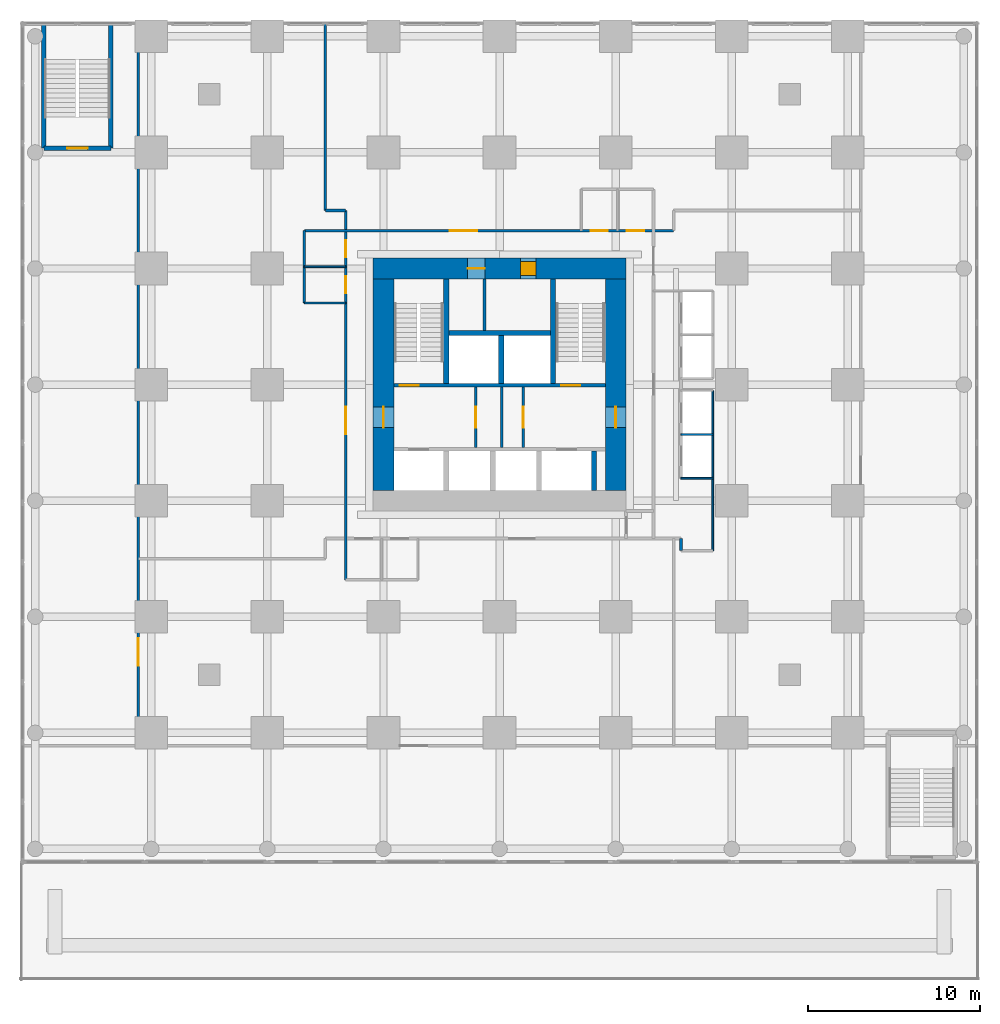
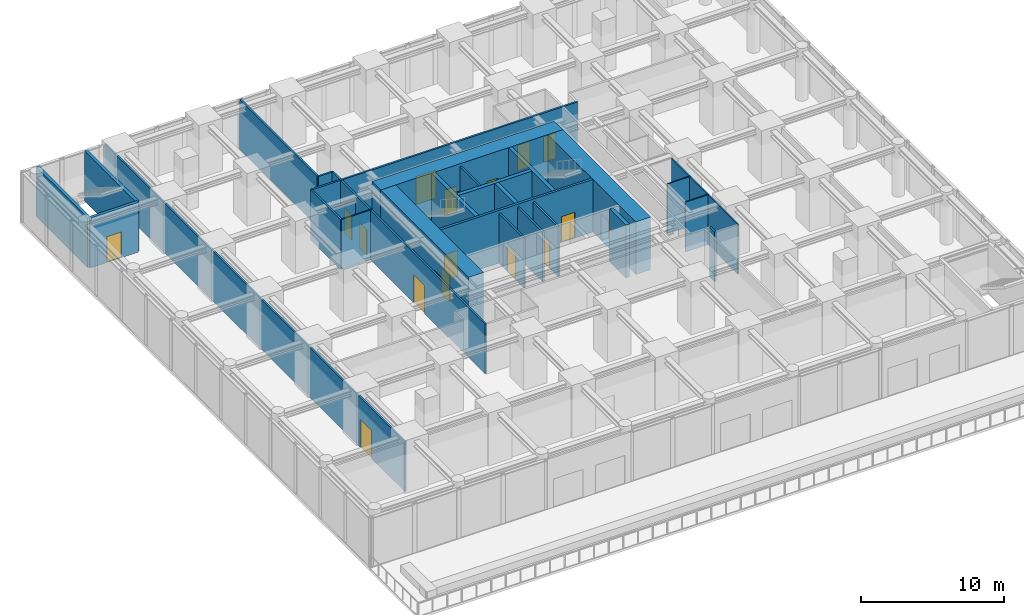
# One storey, part 8 of 10: 28 walls, 16 doors, 16 openings.
"""IFC4 building model written with IfcOpenShell, lengths in metres."""

from ifc_helpers import new_model, si_unit, direction, frame, frame_2d, origin, place, context, subcontext, project, spatial, rectangle, extrude, material, layer, layer_set, type_object, element, fill, save


model = new_model("IFC4")

# Units and contexts
model_context = context("Model", 3, precision=1e-05, world=origin(), true_north=direction((0.0, 1.0)))
body_context = subcontext(model_context, "Body", "Model", "MODEL_VIEW")
ifc_project = project(units=[si_unit("LENGTHUNIT", "METRE"), si_unit("AREAUNIT", "SQUARE_METRE"), si_unit("VOLUMEUNIT", "CUBIC_METRE"), si_unit("PLANEANGLEUNIT", "RADIAN"), si_unit("MASSUNIT", "GRAM", prefix="KILO")], contexts=[model_context])

# Site, building, storey
site_placement = place(None, origin())
site = spatial("IfcSite", under=ifc_project, at=site_placement, CompositionType="ELEMENT")
building_placement = place(site_placement, origin())
building = spatial("IfcBuilding", under=site, at=building_placement, Name="Nyansa Garden Tower", CompositionType="ELEMENT")
storey_placement = place(building_placement, frame((0.0, 0.0, 9.0)))
storey = spatial("IfcBuildingStorey", under=building, at=storey_placement, Name="L02", CompositionType="ELEMENT", Elevation=9.0)

# Wall, openings, doors
ifc_material_1 = material(Name="Concrete C70/85", Category="concrete")
ifc_layer_1 = layer(ifc_material_1, 0.199951171875)
ifc_layer_set_1 = layer_set([ifc_layer_1], Name="Core inner wall CI200")
wall_type_1 = type_object("IfcWallType", Name="Core inner wall CI200", PredefinedType="SHEAR", material=ifc_layer_set_1)
wall_1_placement = place(storey_placement, frame((14.10009765625, 20.199951171875, 0.0), z_axis=(0.0, 0.0, 1.0), x_axis=(1.0, 0.0, 0.0)))
wall_1 = element("IfcWall", 1, at=wall_1_placement, inside=storey, type_object=wall_type_1, Name="Core inner wall L02", PredefinedType="SHEAR", context=body_context, shape_type="SweptSolid", body=[
    extrude(rectangle(XDim=12.2998046875, YDim=0.199951171875, at=frame_2d((6.14990234375, 0.0))), origin(), (0.0, 0.0, 1.0), 4.5),
])
opening_1_placement = place(wall_1_placement, frame((0.35009765625, 0.0, 0.0)))
opening_1 = element("IfcOpeningElement", 2, at=opening_1_placement, cuts=wall_1, Name="Opening D05", PredefinedType="OPENING", context=body_context, shape_type="SweptSolid", body=[
    extrude(rectangle(XDim=1.10009765625, YDim=2.199951171875, at=frame_2d((0.550048828125, 1.10009765625))), frame((0.0, 0.10986328125, 0.0), z_axis=(0.0, -1.0, 0.0), x_axis=(1.0, 0.0, 0.0)), (0.0, 0.0, 1.0), 0.219970703125),
])
opening_2_placement = place(wall_1_placement, frame((9.75, 0.0, 0.0)))
opening_2 = element("IfcOpeningElement", 3, at=opening_2_placement, cuts=wall_1, Name="Opening D05", PredefinedType="OPENING", context=body_context, shape_type="SweptSolid", body=[
    extrude(rectangle(XDim=1.10009765625, YDim=2.199951171875, at=frame_2d((0.550048828125, 1.10009765625))), frame((0.0, 0.10986328125, 0.0), z_axis=(0.0, -1.0, 0.0), x_axis=(1.0, 0.0, 0.0)), (0.0, 0.0, 1.0), 0.219970703125),
])
ifc_material_2 = material(Name="Steel door, 120 minute fire resisting", Category="steel")
door_type_1 = type_object("IfcDoorType", Name="Stair door D05 1100x2200", OperationType="SINGLE_SWING_LEFT", PredefinedType="DOOR", material=ifc_material_2)
door_1_placement = place(opening_1_placement, origin())
door_1 = element("IfcDoor", 4, at=door_1_placement, inside=storey, type_object=door_type_1, Name="Stair S1 door", OperationType="SINGLE_SWING_LEFT", OverallHeight=2.199951171875, OverallWidth=1.10009765625, PredefinedType="DOOR", context=body_context, shape_type="SweptSolid", body=[
    extrude(rectangle(XDim=1.10009765625, YDim=2.199951171875, at=frame_2d((0.550048828125, 1.10009765625))), frame((0.0, 0.02490234375, 0.0), z_axis=(0.0, -1.0, 0.0), x_axis=(1.0, 0.0, 0.0)), (0.0, 0.0, 1.0), 0.050048828125),
])
fill(opening_1, door_1)
door_2_placement = place(opening_2_placement, origin())
door_2 = element("IfcDoor", 5, at=door_2_placement, inside=storey, type_object=door_type_1, Name="Stair S2 door", OperationType="SINGLE_SWING_LEFT", OverallHeight=2.199951171875, OverallWidth=1.10009765625, PredefinedType="DOOR", context=body_context, shape_type="SweptSolid", body=[
    extrude(rectangle(XDim=1.10009765625, YDim=2.199951171875, at=frame_2d((0.550048828125, 1.10009765625))), frame((0.0, 0.02490234375, 0.0), z_axis=(0.0, -1.0, 0.0), x_axis=(1.0, 0.0, 0.0)), (0.0, 0.0, 1.0), 0.050048828125),
])
fill(opening_2, door_2)

# Walls
ifc_material_3 = material(Name="Concrete C70/85", Category="concrete")
ifc_layer_2 = layer(ifc_material_3, 0.300048828125)
ifc_layer_set_2 = layer_set([ifc_layer_2], Name="Core inner wall CI300")
wall_type_2 = type_object("IfcWallType", Name="Core inner wall CI300", PredefinedType="SHEAR", material=ifc_layer_set_2)
for number, where, z_axis, x_axis, name in (
    (6, (17.14990234375, 20.300048828125, 0.0), (0.0, 0.0, 1.0), (0.0, 1.0, 0.0), "Core inner wall L02"),
    (7, (23.35009765625, 20.300048828125, 0.0), (0.0, 0.0, 1.0), (0.0, 1.0, 0.0), "Core inner wall L02"),
):
    element("IfcWall", number, at=place(storey_placement, frame(where, z_axis=z_axis, x_axis=x_axis)), inside=storey, type_object=wall_type_2, Name=name, PredefinedType="SHEAR", context=body_context, shape_type="SweptSolid", body=[
        extrude(rectangle(XDim=6.099853515625, YDim=0.300048828125, at=frame_2d((3.0498046875, 0.0))), origin(), (0.0, 0.0, 1.0), 4.5),
    ])
wall_2_placement = place(storey_placement, frame((20.35009765625, 20.300048828125, 0.0), z_axis=(0.0, 0.0, 1.0), x_axis=(0.0, 1.0, 0.0)))
element("IfcWall", 8, at=wall_2_placement, inside=storey, type_object=wall_type_2, Name="Core inner wall L02", PredefinedType="SHEAR", context=body_context, shape_type="SweptSolid", body=[
    extrude(rectangle(XDim=2.800048828125, YDim=0.300048828125, at=frame_2d((1.39990234375, 0.0))), origin(), (0.0, 0.0, 1.0), 4.5),
])
wall_3_placement = place(storey_placement, frame((17.300048828125, 23.25, 0.0), z_axis=(0.0, 0.0, 1.0), x_axis=(1.0, 0.0, 0.0)))
element("IfcWall", 9, at=wall_3_placement, inside=storey, type_object=wall_type_2, Name="Core inner wall L02", PredefinedType="SHEAR", context=body_context, shape_type="SweptSolid", body=[
    extrude(rectangle(XDim=5.89990234375, YDim=0.300048828125, at=frame_2d((2.949951171875, 0.0))), origin(), (0.0, 0.0, 1.0), 4.5),
])
wall_4_placement = place(storey_placement, frame((25.75, 14.10009765625, 0.0), z_axis=(0.0, 0.0, 1.0), x_axis=(0.0, 1.0, 0.0)))
element("IfcWall", 10, at=wall_4_placement, inside=storey, type_object=wall_type_2, Name="Core inner wall L02", PredefinedType="SHEAR", context=body_context, shape_type="SweptSolid", body=[
    extrude(rectangle(XDim=2.2998046875, YDim=0.300048828125, at=frame_2d((1.14990234375, 0.0))), origin(), (0.0, 0.0, 1.0), 4.5),
])

# Wall, opening, door
ifc_material_4 = material(Name="Concrete C80/95", Category="concrete")
ifc_layer_3 = layer(ifc_material_4, 1.199951171875)
ifc_layer_set_3 = layer_set([ifc_layer_3], Name="Core wall CW1200")
wall_type_3 = type_object("IfcWallType", Name="Core wall CW1200", PredefinedType="SHEAR", material=ifc_layer_set_3)
wall_5_placement = place(storey_placement, frame((27.0, 14.10009765625, 0.0), z_axis=(0.0, 0.0, 1.0), x_axis=(0.0, 1.0, 0.0)))
wall_5 = element("IfcWall", 11, at=wall_5_placement, inside=storey, type_object=wall_type_3, Name="Core wall E L02", PredefinedType="SHEAR", context=body_context, shape_type="SweptSolid", body=[
    extrude(rectangle(XDim=12.2998046875, YDim=1.199951171875, at=frame_2d((6.14990234375, 0.0))), origin(), (0.0, 0.0, 1.0), 4.5),
])
opening_3_placement = place(wall_5_placement, frame((3.64990234375, 0.0, 0.0)))
opening_3 = element("IfcOpeningElement", 12, at=opening_3_placement, cuts=wall_5, Name="Opening D06", PredefinedType="OPENING", context=body_context, shape_type="SweptSolid", body=[
    extrude(rectangle(XDim=1.199951171875, YDim=2.199951171875, at=frame_2d((0.60009765625, 1.10009765625))), frame((0.0, 0.60986328125, 0.0), z_axis=(0.0, -1.0, 0.0), x_axis=(1.0, 0.0, 0.0)), (0.0, 0.0, 1.0), 1.219970703125),
])
ifc_material_5 = material(Name="Steel door, 120 minute fire resisting", Category="steel")
door_type_2 = type_object("IfcDoorType", Name="Lobby door D06 1200x2200", OperationType="DOUBLE_DOOR_SINGLE_SWING", PredefinedType="DOOR", material=ifc_material_5)
door_3_placement = place(opening_3_placement, origin())
door_3 = element("IfcDoor", 13, at=door_3_placement, inside=storey, type_object=door_type_2, Name="Lift lobby door east", OperationType="DOUBLE_DOOR_SINGLE_SWING", OverallHeight=2.199951171875, OverallWidth=1.199951171875, PredefinedType="DOOR", context=body_context, shape_type="SweptSolid", body=[
    extrude(rectangle(XDim=1.199951171875, YDim=2.199951171875, at=frame_2d((0.60009765625, 1.10009765625))), frame((0.0, 0.02490234375, 0.0), z_axis=(0.0, -1.0, 0.0), x_axis=(1.0, 0.0, 0.0)), (0.0, 0.0, 1.0), 0.050048828125),
])
fill(opening_3, door_3)

# Wall, openings, doors
wall_6_placement = place(storey_placement, frame((27.60009765625, 27.0, 0.0), z_axis=(0.0, 0.0, 1.0), x_axis=(-1.0, 0.0, 0.0)))
wall_6 = element("IfcWall", 14, at=wall_6_placement, inside=storey, type_object=wall_type_3, Name="Core wall N L02", PredefinedType="SHEAR", context=body_context, shape_type="SweptSolid", body=[
    extrude(rectangle(XDim=14.7001953125, YDim=1.199951171875, at=frame_2d((7.35009765625, 0.0))), origin(), (0.0, 0.0, 1.0), 4.5),
])
opening_4_placement = place(wall_6_placement, frame((5.22509765625, 0.0, 0.0)))
opening_4 = element("IfcOpeningElement", 15, at=opening_4_placement, cuts=wall_6, Name="Opening D15", PredefinedType="OPENING", context=body_context, shape_type="SweptSolid", body=[
    extrude(rectangle(XDim=0.89990234375, YDim=2.199951171875, at=frame_2d((0.449951171875, 1.10009765625))), frame((0.0, 0.60986328125, 0.0), z_axis=(0.0, -1.0, 0.0), x_axis=(1.0, 0.0, 0.0)), (0.0, 0.0, 1.0), 1.219970703125),
])
opening_5_placement = place(wall_6_placement, frame((8.199951171875, 0.0, 0.0)))
opening_5 = element("IfcOpeningElement", 16, at=opening_5_placement, cuts=wall_6, Name="Opening D07", PredefinedType="OPENING", context=body_context, shape_type="SweptSolid", body=[
    extrude(rectangle(XDim=1.0, YDim=2.199951171875, at=frame_2d((0.5, 1.10009765625))), frame((0.0, 0.60986328125, 0.0), z_axis=(0.0, -1.0, 0.0), x_axis=(1.0, 0.0, 0.0)), (0.0, 0.0, 1.0), 1.219970703125),
])
ifc_material_6 = material(Name="Timber flush door, 60 minute fire resisting, self-closing", Category="wood")
door_type_3 = type_object("IfcDoorType", Name="Core room door D15 900x2200", OperationType="SINGLE_SWING_LEFT", PredefinedType="DOOR", material=ifc_material_6)
door_4_placement = place(opening_4_placement, origin())
door_4 = element("IfcDoor", 17, at=door_4_placement, inside=storey, type_object=door_type_3, Name="Core room door", OperationType="SINGLE_SWING_LEFT", OverallHeight=2.199951171875, OverallWidth=0.89990234375, PredefinedType="DOOR", context=body_context, shape_type="SweptSolid", body=[
    extrude(rectangle(XDim=0.89990234375, YDim=2.199951171875, at=frame_2d((0.449951171875, 1.10009765625))), frame((0.0, 0.39990234375, 0.0), z_axis=(0.0, -1.0, 0.0), x_axis=(1.0, 0.0, 0.0)), (0.0, 0.0, 1.0), 0.800048828125),
])
fill(opening_4, door_4)
ifc_material_7 = material(Name="Steel door, 120 minute fire resisting", Category="steel")
door_type_4 = type_object("IfcDoorType", Name="Riser door D07 1000x2200", OperationType="SINGLE_SWING_LEFT", PredefinedType="DOOR", material=ifc_material_7)
door_5_placement = place(opening_5_placement, origin())
door_5 = element("IfcDoor", 18, at=door_5_placement, inside=storey, type_object=door_type_4, Name="Riser and refuse room door", OperationType="SINGLE_SWING_LEFT", OverallHeight=2.199951171875, OverallWidth=1.0, PredefinedType="DOOR", context=body_context, shape_type="SweptSolid", body=[
    extrude(rectangle(XDim=1.0, YDim=2.199951171875, at=frame_2d((0.5, 1.10009765625))), frame((0.0, 0.02490234375, 0.0), z_axis=(0.0, -1.0, 0.0), x_axis=(1.0, 0.0, 0.0)), (0.0, 0.0, 1.0), 0.050048828125),
])
fill(opening_5, door_5)

# Wall, opening, door
wall_7_placement = place(storey_placement, frame((13.5, 26.39990234375, 0.0), z_axis=(0.0, 0.0, 1.0), x_axis=(0.0, -1.0, 0.0)))
wall_7 = element("IfcWall", 19, at=wall_7_placement, inside=storey, type_object=wall_type_3, Name="Core wall W L02", PredefinedType="SHEAR", context=body_context, shape_type="SweptSolid", body=[
    extrude(rectangle(XDim=12.2998046875, YDim=1.199951171875, at=frame_2d((6.14990234375, 0.0))), origin(), (0.0, 0.0, 1.0), 4.5),
])
opening_6_placement = place(wall_7_placement, frame((7.449951171875, 0.0, 0.0)))
opening_6 = element("IfcOpeningElement", 20, at=opening_6_placement, cuts=wall_7, Name="Opening D06", PredefinedType="OPENING", context=body_context, shape_type="SweptSolid", body=[
    extrude(rectangle(XDim=1.199951171875, YDim=2.199951171875, at=frame_2d((0.60009765625, 1.10009765625))), frame((0.0, 0.60986328125, 0.0), z_axis=(0.0, -1.0, 0.0), x_axis=(1.0, 0.0, 0.0)), (0.0, 0.0, 1.0), 1.219970703125),
])
door_6_placement = place(opening_6_placement, origin())
door_6 = element("IfcDoor", 21, at=door_6_placement, inside=storey, type_object=door_type_2, Name="Lift lobby door west", OperationType="DOUBLE_DOOR_SINGLE_SWING", OverallHeight=2.199951171875, OverallWidth=1.199951171875, PredefinedType="DOOR", context=body_context, shape_type="SweptSolid", body=[
    extrude(rectangle(XDim=1.199951171875, YDim=2.199951171875, at=frame_2d((0.60009765625, 1.10009765625))), frame((0.0, 0.02490234375, 0.0), z_axis=(0.0, -1.0, 0.0), x_axis=(1.0, 0.0, 0.0)), (0.0, 0.0, 1.0), 0.050048828125),
])
fill(opening_6, door_6)

# Walls
ifc_material_8 = material(Name="Steel-stud shaft wall, two layers fire-rated board, EI 120", Category="steel")
ifc_layer_4 = layer(ifc_material_8, 0.10009765625)
ifc_layer_set_4 = layer_set([ifc_layer_4], Name="Lift shaft wall SW100")
wall_type_4 = type_object("IfcWallType", Name="Lift shaft wall SW100", PredefinedType="SHEAR", material=ifc_layer_set_4)
for number, where, z_axis, x_axis, name in (
    (22, (30.800048828125, 14.800048828125, 0.0), (0.0, 0.0, 1.0), (1.0, 0.0, 0.0), "Lift shaft wall"),
    (23, (30.800048828125, 17.35009765625, 0.0), (0.0, 0.0, 1.0), (1.0, 0.0, 0.0), "Lift shaft wall"),
):
    element("IfcWall", number, at=place(storey_placement, frame(where, z_axis=z_axis, x_axis=x_axis)), inside=storey, type_object=wall_type_4, Name=name, PredefinedType="SHEAR", context=body_context, shape_type="SweptSolid", body=[
        extrude(rectangle(XDim=1.849853515625, YDim=0.10009765625, at=frame_2d((0.9248046875, 0.0))), origin(), (0.0, 0.0, 1.0), 4.25),
    ])
wall_8_placement = place(storey_placement, frame((32.64990234375, 10.60009765625, 0.0), z_axis=(0.0, 0.0, 1.0), x_axis=(0.0, 1.0, 0.0)))
element("IfcWall", 24, at=wall_8_placement, inside=storey, type_object=wall_type_4, Name="Lift shaft wall", PredefinedType="SHEAR", context=body_context, shape_type="SweptSolid", body=[
    extrude(rectangle(XDim=9.2998046875, YDim=0.10009765625, at=frame_2d((4.64990234375, 0.0))), origin(), (0.0, 0.0, 1.0), 4.25),
])

# Wall, opening, door
ifc_material_9 = material(Name="Blockwork, plastered both sides", Category="masonry")
ifc_layer_5 = layer(ifc_material_9, 0.14990234375)
ifc_layer_set_5 = layer_set([ifc_layer_5], Name="Partition PW150")
wall_type_5 = type_object("IfcWallType", Name="Partition PW150", PredefinedType="PARTITIONING", material=ifc_layer_set_5)
wall_9_placement = place(storey_placement, frame((18.875, 16.60009765625, 0.0), z_axis=(0.0, 0.0, 1.0), x_axis=(0.0, 1.0, 0.0)))
wall_9 = element("IfcWall", 25, at=wall_9_placement, inside=storey, type_object=wall_type_5, Name="Partition", PredefinedType="PARTITIONING", context=body_context, shape_type="SweptSolid", body=[
    extrude(rectangle(XDim=3.5, YDim=0.14990234375, at=frame_2d((1.75, 0.0))), origin(), (0.0, 0.0, 1.0), 4.25),
])
opening_7_placement = place(wall_9_placement, frame((1.14990234375, 0.0, 0.0)))
opening_7 = element("IfcOpeningElement", 26, at=opening_7_placement, cuts=wall_9, Name="Opening D06", PredefinedType="OPENING", context=body_context, shape_type="SweptSolid", body=[
    extrude(rectangle(XDim=1.199951171875, YDim=2.199951171875, at=frame_2d((0.60009765625, 1.10009765625))), frame((0.0, 0.0849609375, 0.0), z_axis=(0.0, -1.0, 0.0), x_axis=(1.0, 0.0, 0.0)), (0.0, 0.0, 1.0), 0.169921875),
])
door_7_placement = place(opening_7_placement, origin())
door_7 = element("IfcDoor", 27, at=door_7_placement, inside=storey, type_object=door_type_2, Name="Passenger lift lobby door", OperationType="DOUBLE_DOOR_SINGLE_SWING", OverallHeight=2.199951171875, OverallWidth=1.199951171875, PredefinedType="DOOR", context=body_context, shape_type="SweptSolid", body=[
    extrude(rectangle(XDim=1.199951171875, YDim=2.199951171875, at=frame_2d((0.60009765625, 1.10009765625))), frame((0.0, 0.02490234375, 0.0), z_axis=(0.0, -1.0, 0.0), x_axis=(1.0, 0.0, 0.0)), (0.0, 0.0, 1.0), 0.050048828125),
])
fill(opening_7, door_7)

wall_10_placement = place(storey_placement, frame((21.625, 16.60009765625, 0.0), z_axis=(0.0, 0.0, 1.0), x_axis=(0.0, 1.0, 0.0)))
wall_10 = element("IfcWall", 28, at=wall_10_placement, inside=storey, type_object=wall_type_5, Name="Partition", PredefinedType="PARTITIONING", context=body_context, shape_type="SweptSolid", body=[
    extrude(rectangle(XDim=3.5, YDim=0.14990234375, at=frame_2d((1.75, 0.0))), origin(), (0.0, 0.0, 1.0), 4.25),
])
opening_8_placement = place(wall_10_placement, frame((1.14990234375, 0.0, 0.0)))
opening_8 = element("IfcOpeningElement", 29, at=opening_8_placement, cuts=wall_10, Name="Opening D06", PredefinedType="OPENING", context=body_context, shape_type="SweptSolid", body=[
    extrude(rectangle(XDim=1.199951171875, YDim=2.199951171875, at=frame_2d((0.60009765625, 1.10009765625))), frame((0.0, 0.0849609375, 0.0), z_axis=(0.0, -1.0, 0.0), x_axis=(1.0, 0.0, 0.0)), (0.0, 0.0, 1.0), 0.169921875),
])
door_8_placement = place(opening_8_placement, origin())
door_8 = element("IfcDoor", 30, at=door_8_placement, inside=storey, type_object=door_type_2, Name="Passenger lift lobby door", OperationType="DOUBLE_DOOR_SINGLE_SWING", OverallHeight=2.199951171875, OverallWidth=1.199951171875, PredefinedType="DOOR", context=body_context, shape_type="SweptSolid", body=[
    extrude(rectangle(XDim=1.199951171875, YDim=2.199951171875, at=frame_2d((0.60009765625, 1.10009765625))), frame((0.0, 0.02490234375, 0.0), z_axis=(0.0, -1.0, 0.0), x_axis=(1.0, 0.0, 0.0)), (0.0, 0.0, 1.0), 0.050048828125),
])
fill(opening_8, door_8)

# Walls
wall_11_placement = place(storey_placement, frame((20.3798828125, 16.60009765625, 0.0), z_axis=(0.0, 0.0, 1.0), x_axis=(0.0, 1.0, 0.0)))
element("IfcWall", 31, at=wall_11_placement, inside=storey, type_object=wall_type_5, Name="Partition", PredefinedType="PARTITIONING", context=body_context, shape_type="SweptSolid", body=[
    extrude(rectangle(XDim=3.5, YDim=0.14990234375, at=frame_2d((1.75, 0.0))), origin(), (0.0, 0.0, 1.0), 4.25),
])
wall_12_placement = place(storey_placement, frame((19.375, 23.39990234375, 0.0), z_axis=(0.0, 0.0, 1.0), x_axis=(0.0, 1.0, 0.0)))
element("IfcWall", 32, at=wall_12_placement, inside=storey, type_object=wall_type_5, Name="Partition", PredefinedType="PARTITIONING", context=body_context, shape_type="SweptSolid", body=[
    extrude(rectangle(XDim=3.0, YDim=0.14990234375, at=frame_2d((1.5, 0.0))), origin(), (0.0, 0.0, 1.0), 4.25),
])

# Wall, opening, door
wall_13_placement = place(storey_placement, frame((-0.75, -0.75, 0.0), z_axis=(0.0, 0.0, 1.0), x_axis=(0.0, 1.0, 0.0)))
wall_13 = element("IfcWall", 33, at=wall_13_placement, inside=storey, type_object=wall_type_5, Name="Partition", PredefinedType="PARTITIONING", context=body_context, shape_type="SweptSolid", body=[
    extrude(rectangle(XDim=41.98388671875, YDim=0.14990234375, at=frame_2d((20.991943359375, 0.0))), origin(), (0.0, 0.0, 1.0), 4.25),
])
opening_9_placement = place(wall_13_placement, frame((4.64990234375, 0.0, 0.0)))
opening_9 = element("IfcOpeningElement", 34, at=opening_9_placement, cuts=wall_13, Name="Opening D12", PredefinedType="OPENING", context=body_context, shape_type="SweptSolid", body=[
    extrude(rectangle(XDim=1.60009765625, YDim=2.39990234375, at=frame_2d((0.800048828125, 1.199951171875))), frame((0.0, 0.0849609375, 0.0), z_axis=(0.0, -1.0, 0.0), x_axis=(1.0, 0.0, 0.0)), (0.0, 0.0, 1.0), 0.169921875),
])
ifc_material_10 = material(Name="Black aluminium glazed door, 60 minute fire resisting", Category="aluminium")
door_type_5 = type_object("IfcDoorType", Name="Amenity door D12 1600x2400", OperationType="DOUBLE_DOOR_SINGLE_SWING", PredefinedType="DOOR", material=ifc_material_10)
door_9_placement = place(opening_9_placement, origin())
door_9 = element("IfcDoor", 35, at=door_9_placement, inside=storey, type_object=door_type_5, Name="Door L02-031", OperationType="DOUBLE_DOOR_SINGLE_SWING", OverallHeight=2.39990234375, OverallWidth=1.60009765625, PredefinedType="DOOR", context=body_context, shape_type="SweptSolid", body=[
    extrude(rectangle(XDim=1.60009765625, YDim=2.39990234375, at=frame_2d((0.800048828125, 1.199951171875))), frame((0.0, 0.02490234375, 0.0), z_axis=(0.0, -1.0, 0.0), x_axis=(1.0, 0.0, 0.0)), (0.0, 0.0, 1.0), 0.050048828125),
])
fill(opening_9, door_9)

# Wall
wall_14_placement = place(storey_placement, frame((8.89990234375, 25.0, 0.0), z_axis=(0.0, 0.0, 1.0), x_axis=(0.0, 1.0, 0.0)))
element("IfcWall", 36, at=wall_14_placement, inside=storey, type_object=wall_type_5, Name="Partition", PredefinedType="PARTITIONING", context=body_context, shape_type="SweptSolid", body=[
    extrude(rectangle(XDim=4.199951171875, YDim=0.14990234375, at=frame_2d((2.10009765625, 0.0))), origin(), (0.0, 0.0, 1.0), 4.25),
])

# Wall, openings, doors
wall_15_placement = place(storey_placement, frame((8.89990234375, 29.199951171875, 0.0), z_axis=(0.0, 0.0, 1.0), x_axis=(1.0, 0.0, 0.0)))
wall_15 = element("IfcWall", 37, at=wall_15_placement, inside=storey, type_object=wall_type_5, Name="Partition", PredefinedType="PARTITIONING", context=body_context, shape_type="SweptSolid", body=[
    extrude(rectangle(XDim=21.47509765625, YDim=0.14990234375, at=frame_2d((10.737548828125, 0.0))), origin(), (0.0, 0.0, 1.0), 4.25),
])
opening_10_placement = place(wall_15_placement, frame((16.64990234375, 0.0, 0.0)))
opening_10 = element("IfcOpeningElement", 38, at=opening_10_placement, cuts=wall_15, Name="Opening D08", PredefinedType="OPENING", context=body_context, shape_type="SweptSolid", body=[
    extrude(rectangle(XDim=1.0, YDim=2.199951171875, at=frame_2d((0.5, 1.10009765625))), frame((0.0, 0.0849609375, 0.0), z_axis=(0.0, -1.0, 0.0), x_axis=(1.0, 0.0, 0.0)), (0.0, 0.0, 1.0), 0.169921875),
])
opening_11_placement = place(wall_15_placement, frame((18.75, 0.0, 0.0)))
opening_11 = element("IfcOpeningElement", 39, at=opening_11_placement, cuts=wall_15, Name="Opening D08", PredefinedType="OPENING", context=body_context, shape_type="SweptSolid", body=[
    extrude(rectangle(XDim=1.0, YDim=2.199951171875, at=frame_2d((0.5, 1.10009765625))), frame((0.0, 0.0849609375, 0.0), z_axis=(0.0, -1.0, 0.0), x_axis=(1.0, 0.0, 0.0)), (0.0, 0.0, 1.0), 0.169921875),
])
opening_12_placement = place(wall_15_placement, frame((8.449951171875, 0.0, 0.0)))
opening_12 = element("IfcOpeningElement", 40, at=opening_12_placement, cuts=wall_15, Name="Opening D12", PredefinedType="OPENING", context=body_context, shape_type="SweptSolid", body=[
    extrude(rectangle(XDim=1.60009765625, YDim=2.39990234375, at=frame_2d((0.800048828125, 1.199951171875))), frame((0.0, 0.0849609375, 0.0), z_axis=(0.0, -1.0, 0.0), x_axis=(1.0, 0.0, 0.0)), (0.0, 0.0, 1.0), 0.169921875),
])
ifc_material_11 = material(Name="Timber flush door, outward opening", Category="wood")
door_type_6 = type_object("IfcDoorType", Name="Accessible WC door D08 1000x2200", OperationType="SINGLE_SWING_LEFT", PredefinedType="DOOR", material=ifc_material_11)
door_10_placement = place(opening_10_placement, origin())
door_10 = element("IfcDoor", 41, at=door_10_placement, inside=storey, type_object=door_type_6, Name="Door L02-024", OperationType="SINGLE_SWING_LEFT", OverallHeight=2.199951171875, OverallWidth=1.0, PredefinedType="DOOR", context=body_context, shape_type="SweptSolid", body=[
    extrude(rectangle(XDim=1.0, YDim=2.199951171875, at=frame_2d((0.5, 1.10009765625))), frame((0.0, 0.02490234375, 0.0), z_axis=(0.0, -1.0, 0.0), x_axis=(1.0, 0.0, 0.0)), (0.0, 0.0, 1.0), 0.050048828125),
])
fill(opening_10, door_10)
door_11_placement = place(opening_11_placement, origin())
door_11 = element("IfcDoor", 42, at=door_11_placement, inside=storey, type_object=door_type_6, Name="Door L02-025", OperationType="SINGLE_SWING_LEFT", OverallHeight=2.199951171875, OverallWidth=1.0, PredefinedType="DOOR", context=body_context, shape_type="SweptSolid", body=[
    extrude(rectangle(XDim=1.0, YDim=2.199951171875, at=frame_2d((0.5, 1.10009765625))), frame((0.0, 0.02490234375, 0.0), z_axis=(0.0, -1.0, 0.0), x_axis=(1.0, 0.0, 0.0)), (0.0, 0.0, 1.0), 0.050048828125),
])
fill(opening_11, door_11)
door_12_placement = place(opening_12_placement, origin())
door_12 = element("IfcDoor", 43, at=door_12_placement, inside=storey, type_object=door_type_5, Name="Door L02-026", OperationType="DOUBLE_DOOR_SINGLE_SWING", OverallHeight=2.39990234375, OverallWidth=1.60009765625, PredefinedType="DOOR", context=body_context, shape_type="SweptSolid", body=[
    extrude(rectangle(XDim=1.60009765625, YDim=2.39990234375, at=frame_2d((0.800048828125, 1.199951171875))), frame((0.0, 0.02490234375, 0.0), z_axis=(0.0, -1.0, 0.0), x_axis=(1.0, 0.0, 0.0)), (0.0, 0.0, 1.0), 0.050048828125),
])
fill(opening_12, door_12)

# Walls
wall_16_placement = place(storey_placement, frame((10.125, 30.375, 0.0), z_axis=(0.0, 0.0, 1.0), x_axis=(0.0, 1.0, 0.0)))
element("IfcWall", 44, at=wall_16_placement, inside=storey, type_object=wall_type_5, Name="Partition", PredefinedType="PARTITIONING", context=body_context, shape_type="SweptSolid", body=[
    extrude(rectangle(XDim=10.85888671875, YDim=0.14990234375, at=frame_2d((5.429443359375, 0.0))), origin(), (0.0, 0.0, 1.0), 4.25),
])
wall_17_placement = place(storey_placement, frame((10.125, 30.375, 0.0), z_axis=(0.0, 0.0, 1.0), x_axis=(1.0, 0.0, 0.0)))
element("IfcWall", 45, at=wall_17_placement, inside=storey, type_object=wall_type_5, Name="Partition", PredefinedType="PARTITIONING", context=body_context, shape_type="SweptSolid", body=[
    extrude(rectangle(XDim=1.175048828125, YDim=0.14990234375, at=frame_2d((0.58740234375, 0.0))), origin(), (0.0, 0.0, 1.0), 4.25),
])

# Wall, openings, doors
wall_18_placement = place(storey_placement, frame((11.300048828125, 8.89990234375, 0.0), z_axis=(0.0, 0.0, 1.0), x_axis=(0.0, 1.0, 0.0)))
wall_18 = element("IfcWall", 46, at=wall_18_placement, inside=storey, type_object=wall_type_5, Name="Partition", PredefinedType="PARTITIONING", context=body_context, shape_type="SweptSolid", body=[
    extrude(rectangle(XDim=21.47509765625, YDim=0.14990234375, at=frame_2d((10.737548828125, 0.0))), origin(), (0.0, 0.0, 1.0), 4.25),
])
opening_13_placement = place(wall_18_placement, frame((16.64990234375, 0.0, 0.0)))
opening_13 = element("IfcOpeningElement", 47, at=opening_13_placement, cuts=wall_18, Name="Opening D08", PredefinedType="OPENING", context=body_context, shape_type="SweptSolid", body=[
    extrude(rectangle(XDim=1.0, YDim=2.199951171875, at=frame_2d((0.5, 1.10009765625))), frame((0.0, 0.0849609375, 0.0), z_axis=(0.0, -1.0, 0.0), x_axis=(1.0, 0.0, 0.0)), (0.0, 0.0, 1.0), 0.169921875),
])
opening_14_placement = place(wall_18_placement, frame((18.75, 0.0, 0.0)))
opening_14 = element("IfcOpeningElement", 48, at=opening_14_placement, cuts=wall_18, Name="Opening D08", PredefinedType="OPENING", context=body_context, shape_type="SweptSolid", body=[
    extrude(rectangle(XDim=1.0, YDim=2.199951171875, at=frame_2d((0.5, 1.10009765625))), frame((0.0, 0.0849609375, 0.0), z_axis=(0.0, -1.0, 0.0), x_axis=(1.0, 0.0, 0.0)), (0.0, 0.0, 1.0), 0.169921875),
])
opening_15_placement = place(wall_18_placement, frame((8.449951171875, 0.0, 0.0)))
opening_15 = element("IfcOpeningElement", 49, at=opening_15_placement, cuts=wall_18, Name="Opening D12", PredefinedType="OPENING", context=body_context, shape_type="SweptSolid", body=[
    extrude(rectangle(XDim=1.60009765625, YDim=2.39990234375, at=frame_2d((0.800048828125, 1.199951171875))), frame((0.0, 0.0849609375, 0.0), z_axis=(0.0, -1.0, 0.0), x_axis=(1.0, 0.0, 0.0)), (0.0, 0.0, 1.0), 0.169921875),
])
door_13_placement = place(opening_13_placement, origin())
door_13 = element("IfcDoor", 50, at=door_13_placement, inside=storey, type_object=door_type_6, Name="Door L02-027", OperationType="SINGLE_SWING_LEFT", OverallHeight=2.199951171875, OverallWidth=1.0, PredefinedType="DOOR", context=body_context, shape_type="SweptSolid", body=[
    extrude(rectangle(XDim=1.0, YDim=2.199951171875, at=frame_2d((0.5, 1.10009765625))), frame((0.0, 0.02490234375, 0.0), z_axis=(0.0, -1.0, 0.0), x_axis=(1.0, 0.0, 0.0)), (0.0, 0.0, 1.0), 0.050048828125),
])
fill(opening_13, door_13)
door_14_placement = place(opening_14_placement, origin())
door_14 = element("IfcDoor", 51, at=door_14_placement, inside=storey, type_object=door_type_6, Name="Door L02-028", OperationType="SINGLE_SWING_LEFT", OverallHeight=2.199951171875, OverallWidth=1.0, PredefinedType="DOOR", context=body_context, shape_type="SweptSolid", body=[
    extrude(rectangle(XDim=1.0, YDim=2.199951171875, at=frame_2d((0.5, 1.10009765625))), frame((0.0, 0.02490234375, 0.0), z_axis=(0.0, -1.0, 0.0), x_axis=(1.0, 0.0, 0.0)), (0.0, 0.0, 1.0), 0.050048828125),
])
fill(opening_14, door_14)
door_15_placement = place(opening_15_placement, origin())
door_15 = element("IfcDoor", 52, at=door_15_placement, inside=storey, type_object=door_type_5, Name="Door L02-029", OperationType="DOUBLE_DOOR_SINGLE_SWING", OverallHeight=2.39990234375, OverallWidth=1.60009765625, PredefinedType="DOOR", context=body_context, shape_type="SweptSolid", body=[
    extrude(rectangle(XDim=1.60009765625, YDim=2.39990234375, at=frame_2d((0.800048828125, 1.199951171875))), frame((0.0, 0.02490234375, 0.0), z_axis=(0.0, -1.0, 0.0), x_axis=(1.0, 0.0, 0.0)), (0.0, 0.0, 1.0), 0.050048828125),
])
fill(opening_15, door_15)

# Walls
wall_19_placement = place(storey_placement, frame((30.800048828125, 10.60009765625, 0.0), z_axis=(0.0, 0.0, 1.0), x_axis=(0.0, 1.0, 0.0)))
element("IfcWall", 53, at=wall_19_placement, inside=storey, type_object=wall_type_5, Name="Partition", PredefinedType="PARTITIONING", context=body_context, shape_type="SweptSolid", body=[
    extrude(rectangle(XDim=0.699951171875, YDim=0.14990234375, at=frame_2d((0.35009765625, 0.0))), origin(), (0.0, 0.0, 1.0), 4.25),
])
ifc_material_12 = material(Name="Reinforced blockwork, 120 minute fire resisting", Category="masonry")
ifc_layer_6 = layer(ifc_material_12, 0.25)
ifc_layer_set_6 = layer_set([ifc_layer_6], Name="Stair enclosure wall SW250")
wall_type_6 = type_object("IfcWallType", Name="Stair enclosure wall SW250", PredefinedType="SOLIDWALL", material=ifc_layer_set_6)
wall_20_placement = place(storey_placement, frame((-6.25, 34.0, 0.0), z_axis=(0.0, 0.0, 1.0), x_axis=(0.0, 1.0, 0.0)))
element("IfcWall", 54, at=wall_20_placement, inside=storey, type_object=wall_type_6, Name="Stair enclosure wall", PredefinedType="SOLIDWALL", context=body_context, shape_type="SweptSolid", body=[
    extrude(rectangle(XDim=7.23388671875, YDim=0.25, at=frame_2d((3.616943359375, 0.0))), origin(), (0.0, 0.0, 1.0), 4.25),
])

# Wall, opening, door
wall_21_placement = place(storey_placement, frame((-6.25, 34.0, 0.0), z_axis=(0.0, 0.0, 1.0), x_axis=(1.0, 0.0, 0.0)))
wall_21 = element("IfcWall", 55, at=wall_21_placement, inside=storey, type_object=wall_type_6, Name="Stair enclosure wall", PredefinedType="SOLIDWALL", context=body_context, shape_type="SweptSolid", body=[
    extrude(rectangle(XDim=3.89990234375, YDim=0.25, at=frame_2d((1.949951171875, 0.0))), origin(), (0.0, 0.0, 1.0), 4.25),
])
opening_16_placement = place(wall_21_placement, frame((1.35009765625, 0.0, 0.0)))
opening_16 = element("IfcOpeningElement", 56, at=opening_16_placement, cuts=wall_21, Name="Opening D13", PredefinedType="OPENING", context=body_context, shape_type="SweptSolid", body=[
    extrude(rectangle(XDim=1.199951171875, YDim=2.199951171875, at=frame_2d((0.60009765625, 1.10009765625))), frame((0.0, 0.135009765625, 0.0), z_axis=(0.0, -1.0, 0.0), x_axis=(1.0, 0.0, 0.0)), (0.0, 0.0, 1.0), 0.27001953125),
])
ifc_material_13 = material(Name="Steel door, 60 minute fire resisting, panic bar", Category="steel")
door_type_7 = type_object("IfcDoorType", Name="Exit stair door D13 1200x2200", OperationType="SINGLE_SWING_LEFT", PredefinedType="DOOR", material=ifc_material_13)
door_16_placement = place(opening_16_placement, origin())
door_16 = element("IfcDoor", 57, at=door_16_placement, inside=storey, type_object=door_type_7, Name="Exit door to stair S3", OperationType="SINGLE_SWING_LEFT", OverallHeight=2.199951171875, OverallWidth=1.199951171875, PredefinedType="DOOR", context=body_context, shape_type="SweptSolid", body=[
    extrude(rectangle(XDim=1.199951171875, YDim=2.199951171875, at=frame_2d((0.60009765625, 1.10009765625))), frame((0.0, 0.02490234375, 0.0), z_axis=(0.0, -1.0, 0.0), x_axis=(1.0, 0.0, 0.0)), (0.0, 0.0, 1.0), 0.050048828125),
])
fill(opening_16, door_16)

# Walls
wall_22_placement = place(storey_placement, frame((-2.35009765625, 34.0, 0.0), z_axis=(0.0, 0.0, 1.0), x_axis=(0.0, 1.0, 0.0)))
element("IfcWall", 58, at=wall_22_placement, inside=storey, type_object=wall_type_6, Name="Stair enclosure wall", PredefinedType="SOLIDWALL", context=body_context, shape_type="SweptSolid", body=[
    extrude(rectangle(XDim=7.23388671875, YDim=0.25, at=frame_2d((3.616943359375, 0.0))), origin(), (0.0, 0.0, 1.0), 4.25),
])
ifc_material_14 = material(Name="Moisture resistant board on steel studs, tiled", Category="steel")
ifc_layer_7 = layer(ifc_material_14, 0.10009765625)
ifc_layer_set_7 = layer_set([ifc_layer_7], Name="Wet wall PW100")
wall_type_7 = type_object("IfcWallType", Name="Wet wall PW100", PredefinedType="PARTITIONING", material=ifc_layer_set_7)
wall_23_placement = place(storey_placement, frame((8.89990234375, 25.0, 0.0), z_axis=(0.0, 0.0, 1.0), x_axis=(1.0, 0.0, 0.0)))
element("IfcWall", 59, at=wall_23_placement, inside=storey, type_object=wall_type_7, Name="Wet wall", PredefinedType="PARTITIONING", context=body_context, shape_type="SweptSolid", body=[
    extrude(rectangle(XDim=2.400146484375, YDim=0.10009765625, at=frame_2d((1.2001953125, 0.0))), origin(), (0.0, 0.0, 1.0), 4.25),
])
wall_24_placement = place(storey_placement, frame((8.89990234375, 27.10009765625, 0.0), z_axis=(0.0, 0.0, 1.0), x_axis=(1.0, 0.0, 0.0)))
element("IfcWall", 60, at=wall_24_placement, inside=storey, type_object=wall_type_7, Name="Wet wall", PredefinedType="PARTITIONING", context=body_context, shape_type="SweptSolid", body=[
    extrude(rectangle(XDim=2.400146484375, YDim=0.10009765625, at=frame_2d((1.2001953125, 0.0))), origin(), (0.0, 0.0, 1.0), 3.751953125),
])

save(model, "model.ifc")
